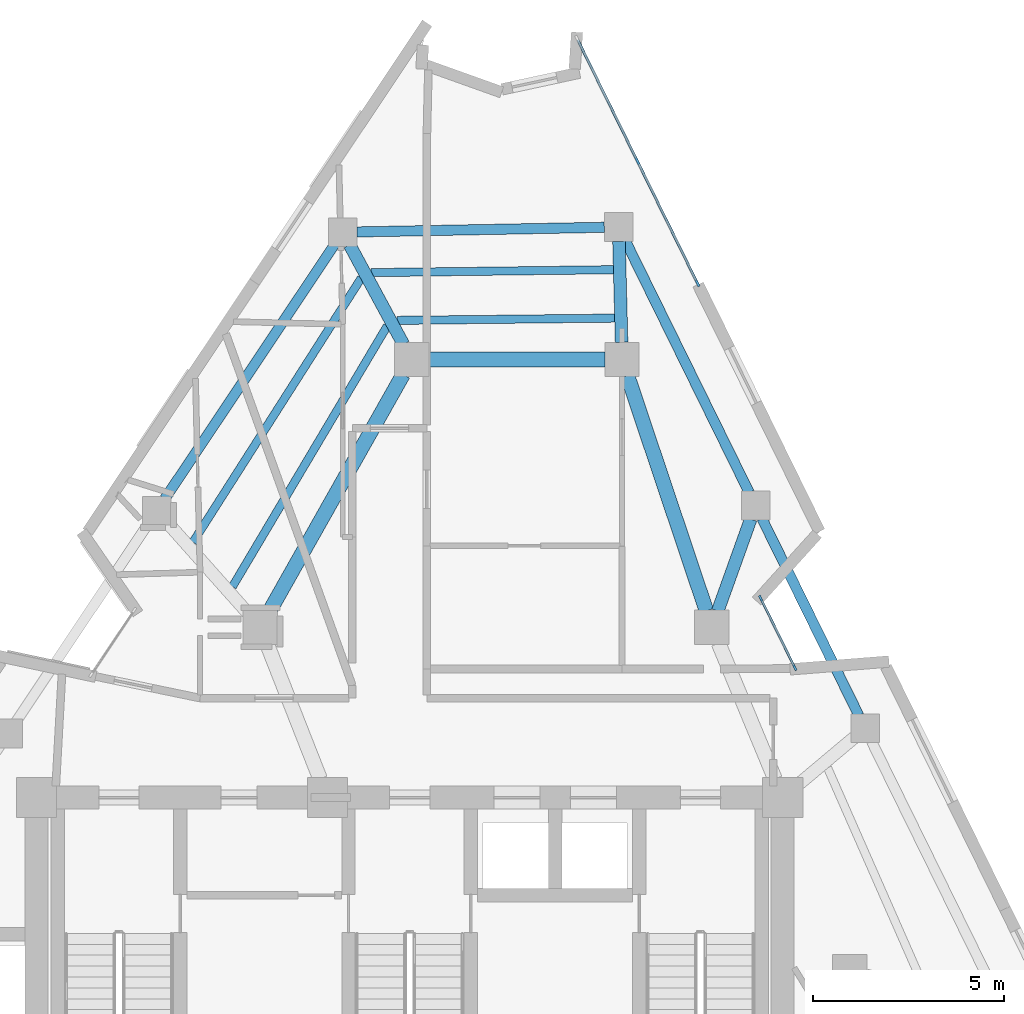
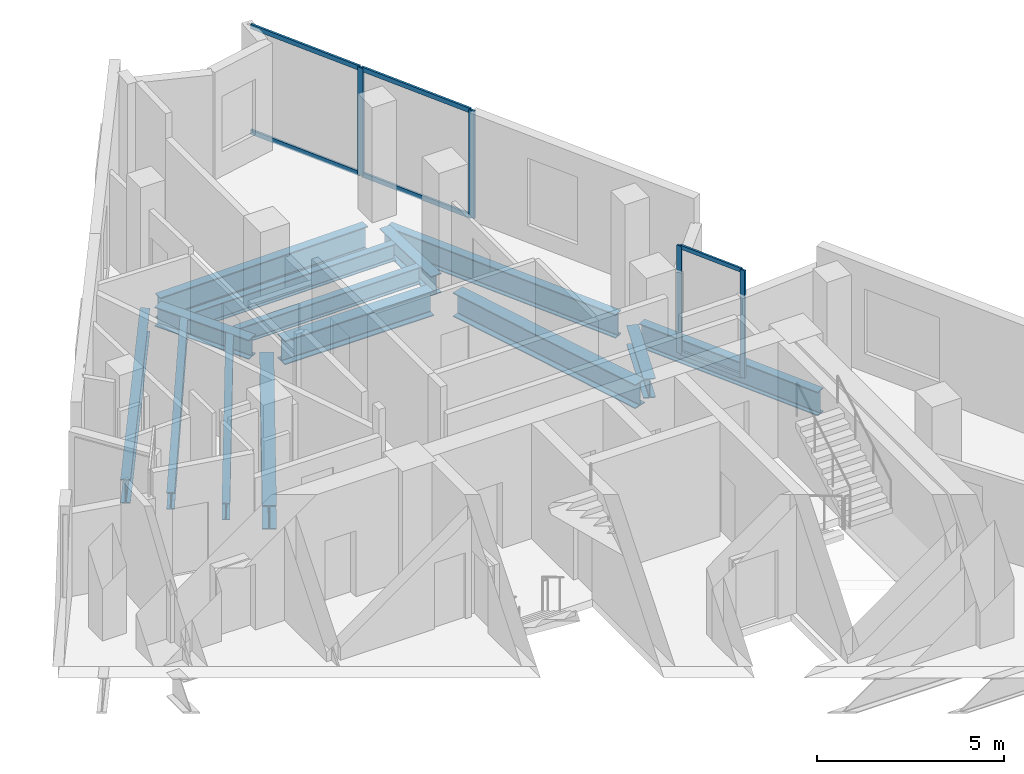
# One storey, part 3 of 10: 14 beams, 10 members, 2 elements without a shape of their own.
"""IFC4 building model written with IfcOpenShell, lengths in metres."""

from ifc_helpers import new_model, si_unit, direction, frame, origin, origin_2d, place, context, subcontext, project, spatial, rectangle, i_section, extrude, material, layer, layer_set, material_profile, profile_set, type_object, element, aggregate, save


model = new_model("IFC4")

# Units and contexts
model_context = context("Model", 3, precision=1e-05, world=origin(), true_north=direction((0.0, 1.0)))
body_context = subcontext(model_context, "Body", "Model", "MODEL_VIEW")
ifc_project = project(units=[si_unit("LENGTHUNIT", "METRE"), si_unit("AREAUNIT", "SQUARE_METRE"), si_unit("VOLUMEUNIT", "CUBIC_METRE"), si_unit("PLANEANGLEUNIT", "RADIAN"), si_unit("MASSUNIT", "GRAM", prefix="KILO")], contexts=[model_context])

# Site, building, storey
site_placement = place(None, origin())
site = spatial("IfcSite", under=ifc_project, at=site_placement, CompositionType="ELEMENT")
building_placement = place(site_placement, origin())
building = spatial("IfcBuilding", under=site, at=building_placement, Name="Almagre Mirador Tower", CompositionType="ELEMENT")
storey_placement = place(building_placement, frame((0.0, 0.0, 278.25)))
storey = spatial("IfcBuildingStorey", under=building, at=storey_placement, Name="L72", CompositionType="ELEMENT", Elevation=278.25)

# Beams
ifc_material_1 = material(Name="Steel ASTM A992 Grade 50", Category="steel")
ifc_material_profile_1 = material_profile(ifc_material_1, i_section(OverallWidth=0.214111328125, OverallDepth=0.549072265625, WebThickness=0.0146484375, FlangeThickness=0.023681640625, FilletRadius=0.01806640625, at=origin_2d()), Name="W21X93")
ifc_profile_set_1 = profile_set([ifc_material_profile_1], Name="Steel ASTM A992 Grade 50")
beam_type_1 = type_object("IfcBeamType", Name="BM-JST-W21X93", PredefinedType="JOIST", material=ifc_profile_set_1)
beam_1_placement = place(storey_placement, frame((42.62451171875, 28.546630859375, -0.5244140625), z_axis=(-0.999926806347, -0.012098840784, 0.0), x_axis=(0.012098840784, -0.999926806347, 0.0)))
element("IfcBeam", 1, at=beam_1_placement, inside=storey, type_object=beam_type_1, Name="L72 secondary floor joist PC08-PC09.1", PredefinedType="JOIST", context=body_context, shape_type="SweptSolid", body=[
    extrude(i_section(OverallWidth=0.214111328125, OverallDepth=0.549072265625, WebThickness=0.0146484375, FlangeThickness=0.023681640625, FilletRadius=0.01806640625, at=origin_2d()), origin(), (0.0, 0.0, 1.0), 6.336181640625),
])
beam_2_placement = place(storey_placement, frame((42.656982421875, 27.281005859375, -0.5244140625), z_axis=(-0.999945713719, -0.010419674461, 0.0), x_axis=(0.010419674461, -0.999945713719, 0.0)))
element("IfcBeam", 2, at=beam_2_placement, inside=storey, type_object=beam_type_1, Name="L72 secondary floor joist PC08-PC09.3", PredefinedType="JOIST", context=body_context, shape_type="SweptSolid", body=[
    extrude(i_section(OverallWidth=0.214111328125, OverallDepth=0.549072265625, WebThickness=0.0146484375, FlangeThickness=0.023681640625, FilletRadius=0.01806640625, at=origin_2d()), origin(), (0.0, 0.0, 1.0), 5.693603515625),
])
beam_3_placement = place(storey_placement, frame((36.03515625, 28.328857421875, -0.5244140625), z_axis=(-0.537483129347, -0.843274501967, 0.0), x_axis=(0.843274501967, -0.537483129347, 0.0)))
element("IfcBeam", 3, at=beam_3_placement, inside=storey, type_object=beam_type_1, Name="L72 secondary floor joist PC09-PC10.1", PredefinedType="JOIST", context=body_context, shape_type="SweptSolid", body=[
    extrude(i_section(OverallWidth=0.214111328125, OverallDepth=0.549072265625, WebThickness=0.0146484375, FlangeThickness=0.023681640625, FilletRadius=0.01806640625, at=origin_2d()), origin(), (0.0, 0.0, 1.0), 8.1875),
])
beam_4_placement = place(storey_placement, frame((36.71435546875, 27.078125, -0.5244140625), z_axis=(-0.510523100762, -0.85986403785, 0.0), x_axis=(0.85986403785, -0.510523100762, 0.0)))
element("IfcBeam", 4, at=beam_4_placement, inside=storey, type_object=beam_type_1, Name="L72 secondary floor joist PC09-PC10.3", PredefinedType="JOIST", context=body_context, shape_type="SweptSolid", body=[
    extrude(i_section(OverallWidth=0.214111328125, OverallDepth=0.549072265625, WebThickness=0.0146484375, FlangeThickness=0.023681640625, FilletRadius=0.01806640625, at=origin_2d()), origin(), (0.0, 0.0, 1.0), 7.927978515625),
])
ifc_material_2 = material(Name="Steel ASTM A992 Grade 50", Category="steel")
ifc_material_profile_2 = material_profile(ifc_material_2, i_section(OverallWidth=0.26708984375, OverallDepth=0.779052734375, WebThickness=0.0166015625, FlangeThickness=0.030029296875, FilletRadius=0.02392578125, at=origin_2d()), Name="W30X148")
ifc_profile_set_2 = profile_set([ifc_material_profile_2], Name="Steel ASTM A992 Grade 50")
beam_type_2 = type_object("IfcBeamType", Name="BM-SPN-W30X148", PredefinedType="SPANDREL", material=ifc_profile_set_2)
beam_5_placement = place(storey_placement, frame((49.03955078125, 16.89453125, -0.639404296875), z_axis=(-0.441283159843, 0.897367913867, 0.0), x_axis=(-0.897367913867, -0.441283159843, 0.0)))
element("IfcBeam", 5, at=beam_5_placement, inside=storey, type_object=beam_type_2, Name="L72 perimeter spandrel beam PC06-PC07", PredefinedType="SPANDREL", context=body_context, shape_type="SweptSolid", body=[
    extrude(i_section(OverallWidth=0.26708984375, OverallDepth=0.779052734375, WebThickness=0.0166015625, FlangeThickness=0.030029296875, FilletRadius=0.02392578125, at=origin_2d()), origin(), (0.0, 0.0, 1.0), 5.739990234375),
])
beam_6_placement = place(storey_placement, frame((46.175537109375, 22.718505859375, -0.639404296875), z_axis=(-0.441288138853, 0.897365465408, 0.0), x_axis=(-0.897365465408, -0.441288138853, 0.0)))
element("IfcBeam", 6, at=beam_6_placement, inside=storey, type_object=beam_type_2, Name="L72 perimeter spandrel beam PC07-PC08", PredefinedType="SPANDREL", context=body_context, shape_type="SweptSolid", body=[
    extrude(i_section(OverallWidth=0.26708984375, OverallDepth=0.779052734375, WebThickness=0.0166015625, FlangeThickness=0.030029296875, FilletRadius=0.02392578125, at=origin_2d()), origin(), (0.0, 0.0, 1.0), 7.362548828125),
])
beam_7_placement = place(storey_placement, frame((42.385986328125, 29.65478515625, -0.639404296875), z_axis=(-0.99982288109, -0.018820373253, 0.0), x_axis=(0.018820373253, -0.99982288109, 0.0)))
element("IfcBeam", 7, at=beam_7_placement, inside=storey, type_object=beam_type_2, Name="L72 perimeter spandrel beam PC08-PC09", PredefinedType="SPANDREL", context=body_context, shape_type="SweptSolid", body=[
    extrude(i_section(OverallWidth=0.26708984375, OverallDepth=0.779052734375, WebThickness=0.0166015625, FlangeThickness=0.030029296875, FilletRadius=0.02392578125, at=origin_2d()), origin(), (0.0, 0.0, 1.0), 6.460205078125),
])
beam_8_placement = place(storey_placement, frame((35.34375, 29.214111328125, -0.639404296875), z_axis=(-0.555228061938, -0.831698141898, 0.0), x_axis=(0.831698141898, -0.555228061938, 0.0)))
element("IfcBeam", 8, at=beam_8_placement, inside=storey, type_object=beam_type_2, Name="L72 perimeter spandrel beam PC09-PC10", PredefinedType="SPANDREL", context=body_context, shape_type="SweptSolid", body=[
    extrude(i_section(OverallWidth=0.26708984375, OverallDepth=0.779052734375, WebThickness=0.0166015625, FlangeThickness=0.030029296875, FilletRadius=0.02392578125, at=origin_2d()), origin(), (0.0, 0.0, 1.0), 8.003173828125),
])
ifc_material_3 = material(Name="Steel ASTM A992 Grade 50", Category="steel")
ifc_material_profile_3 = material_profile(ifc_material_3, i_section(OverallWidth=0.330078125, OverallDepth=0.635009765625, WebThickness=0.017822265625, FlangeThickness=0.031005859375, FilletRadius=0.02001953125, at=origin_2d()), Name="W24X162")
ifc_profile_set_3 = profile_set([ifc_material_profile_3], Name="Steel ASTM A992 Grade 50")
beam_type_3 = type_object("IfcBeamType", Name="BM-STL-W24X162", PredefinedType="BEAM", material=ifc_profile_set_3)
beam_9_placement = place(storey_placement, frame((46.21435546875, 22.029052734375, -0.5673828125), z_axis=(-0.337528381074, -0.941315352031, 0.0), x_axis=(0.941315352031, -0.337528381074, 0.0)))
element("IfcBeam", 9, at=beam_9_placement, inside=storey, type_object=beam_type_3, Name="L72 radial floor girder PC07-MC5", PredefinedType="BEAM", context=body_context, shape_type="SweptSolid", body=[
    extrude(i_section(OverallWidth=0.330078125, OverallDepth=0.635009765625, WebThickness=0.017822265625, FlangeThickness=0.031005859375, FilletRadius=0.02001953125, at=origin_2d()), origin(), (0.0, 0.0, 1.0), 2.555419921875),
])
beam_10_placement = place(storey_placement, frame((42.7705078125, 29.287109375, -0.5673828125), z_axis=(0.025727456063, -0.99966899422, 0.0), x_axis=(0.99966899422, 0.025727456063, 0.0)))
element("IfcBeam", 10, at=beam_10_placement, inside=storey, type_object=beam_type_3, Name="L72 radial floor girder PC08-MC6", PredefinedType="BEAM", context=body_context, shape_type="SweptSolid", body=[
    extrude(i_section(OverallWidth=0.330078125, OverallDepth=0.635009765625, WebThickness=0.017822265625, FlangeThickness=0.031005859375, FilletRadius=0.02001953125, at=origin_2d()), origin(), (0.0, 0.0, 1.0), 2.63818359375),
])
beam_11_placement = place(storey_placement, frame((35.730224609375, 29.196044921875, -0.5673828125), z_axis=(0.475596501602, -0.879663553675, 0.0), x_axis=(0.879663553675, 0.475596501602, 0.0)))
element("IfcBeam", 11, at=beam_11_placement, inside=storey, type_object=beam_type_3, Name="L72 radial floor girder PC09-MC7", PredefinedType="BEAM", context=body_context, shape_type="SweptSolid", body=[
    extrude(i_section(OverallWidth=0.330078125, OverallDepth=0.635009765625, WebThickness=0.017822265625, FlangeThickness=0.031005859375, FilletRadius=0.02001953125, at=origin_2d()), origin(), (0.0, 0.0, 1.0), 2.955810546875),
])
ifc_material_4 = material(Name="Steel ASTM A992 Grade 50", Category="steel")
ifc_material_profile_4 = material_profile(ifc_material_4, i_section(OverallWidth=0.384033203125, OverallDepth=0.784912109375, WebThickness=0.019775390625, FlangeThickness=0.033447265625, FilletRadius=0.02392578125, at=origin_2d()), Name="W30X211")
ifc_profile_set_4 = profile_set([ifc_material_profile_4], Name="Steel ASTM A992 Grade 50")
beam_type_4 = type_object("IfcBeamType", Name="BM-STL-W30X211", PredefinedType="BEAM", material=ifc_profile_set_4)
beam_12_placement = place(storey_placement, frame((37.800048828125, 26.199951171875, -0.642578125), z_axis=(1.0, 0.0, 0.0), x_axis=(0.0, 1.0, 0.0)))
element("IfcBeam", 12, at=beam_12_placement, inside=storey, type_object=beam_type_4, Name="L72 core tie girder MC7-MC6", PredefinedType="BEAM", context=body_context, shape_type="SweptSolid", body=[
    extrude(i_section(OverallWidth=0.384033203125, OverallDepth=0.784912109375, WebThickness=0.019775390625, FlangeThickness=0.033447265625, FilletRadius=0.02392578125, at=origin_2d()), origin(), (0.0, 0.0, 1.0), 4.599853515625),
])
beam_13_placement = place(storey_placement, frame((42.9931640625, 25.7734375, -0.642578125), z_axis=(0.318282890726, -0.947995781357, 0.0), x_axis=(0.947995781357, 0.318282890726, 0.0)))
element("IfcBeam", 13, at=beam_13_placement, inside=storey, type_object=beam_type_4, Name="L72 core tie girder MC6-MC5", PredefinedType="BEAM", context=body_context, shape_type="SweptSolid", body=[
    extrude(i_section(OverallWidth=0.384033203125, OverallDepth=0.784912109375, WebThickness=0.019775390625, FlangeThickness=0.033447265625, FilletRadius=0.02392578125, at=origin_2d()), origin(), (0.0, 0.0, 1.0), 6.48388671875),
])
beam_14_placement = place(storey_placement, frame((37.12890625, 25.80810546875, -0.642578125), z_axis=(-0.491446261843, -0.870907900825, 0.0), x_axis=(0.870907900825, -0.491446261843, 0.0)))
element("IfcBeam", 14, at=beam_14_placement, inside=storey, type_object=beam_type_4, Name="L72 core tie girder MC7-MC8", PredefinedType="BEAM", context=body_context, shape_type="SweptSolid", body=[
    extrude(i_section(OverallWidth=0.384033203125, OverallDepth=0.784912109375, WebThickness=0.019775390625, FlangeThickness=0.033447265625, FilletRadius=0.02392578125, at=origin_2d()), origin(), (0.0, 0.0, 1.0), 7.1376953125),
])

# Curtain wall, members
ifc_material_5 = material(Name="Black anodized aluminium", Category="aluminium")
ifc_layer_1 = layer(ifc_material_5, 0.169921875)
ifc_layer_set_1 = layer_set([ifc_layer_1], Name="Black anodized aluminium")
curtain_wall_type_1 = type_object("IfcCurtainWallType", Name="CW-CRS-SYS", PredefinedType="NOTDEFINED", material=ifc_layer_set_1)
curtain_wall_1_placement = place(storey_placement, origin())
curtain_wall_1 = element("IfcCurtainWall", 15, at=curtain_wall_1_placement, inside=storey, type_object=curtain_wall_type_1, Name="L72 vertical crease curtain wall 03", PredefinedType="NOTDEFINED")
ifc_material_6 = material(Name="Black anodized aluminium", Category="aluminium")
ifc_material_profile_5 = material_profile(ifc_material_6, rectangle(XDim=0.06005859375, YDim=0.14990234375, at=origin_2d()), Name="CWM60X150")
ifc_profile_set_5 = profile_set([ifc_material_profile_5], Name="Black anodized aluminium")
member_type_1 = type_object("IfcMemberType", Name="MBR-CWM60X150", PredefinedType="MULLION", material=ifc_profile_set_5)
member_1_placement = place(storey_placement, frame((46.47314453125, 19.962158203125, 0.0), z_axis=(0.0, 0.0, 1.0), x_axis=(0.897467953869, 0.441079666023, 0.0)))
member_1 = element("IfcMember", 16, at=member_1_placement, type_object=member_type_1, Name="CW-4 mullion 1", PredefinedType="MULLION", context=body_context, shape_type="SweptSolid", body=[
    extrude(rectangle(XDim=0.06005859375, YDim=0.14990234375, at=origin_2d()), origin(), (0.0, 0.0, 1.0), 3.5),
])
member_2_placement = place(storey_placement, frame((47.36865234375, 18.139892578125, 0.0), z_axis=(0.0, 0.0, 1.0), x_axis=(0.897467953869, 0.441079666023, 0.0)))
member_2 = element("IfcMember", 17, at=member_2_placement, type_object=member_type_1, Name="CW-4 mullion 2", PredefinedType="MULLION", context=body_context, shape_type="SweptSolid", body=[
    extrude(rectangle(XDim=0.06005859375, YDim=0.14990234375, at=origin_2d()), origin(), (0.0, 0.0, 1.0), 3.5),
])

ifc_material_7 = material(Name="Black anodized aluminium", Category="aluminium")
ifc_layer_2 = layer(ifc_material_7, 0.199951171875)
ifc_layer_set_2 = layer_set([ifc_layer_2], Name="Black anodized aluminium")
curtain_wall_type_2 = type_object("IfcCurtainWallType", Name="CW-RES-H-SYS", PredefinedType="NOTDEFINED", material=ifc_layer_set_2)
curtain_wall_2_placement = place(storey_placement, origin())
curtain_wall_2 = element("IfcCurtainWall", 18, at=curtain_wall_2_placement, inside=storey, type_object=curtain_wall_type_2, Name="L72 curtain wall run 02", PredefinedType="NOTDEFINED")
ifc_material_8 = material(Name="Black anodized aluminium", Category="aluminium")
ifc_material_profile_6 = material_profile(ifc_material_8, rectangle(XDim=0.06494140625, YDim=0.179931640625, at=origin_2d()), Name="CWM65X180")
ifc_profile_set_6 = profile_set([ifc_material_profile_6], Name="Black anodized aluminium")
member_type_2 = type_object("IfcMemberType", Name="MBR-CWM65X180", PredefinedType="MULLION", material=ifc_profile_set_6)
member_3_placement = place(storey_placement, frame((43.251708984375, 31.384521484375, 0.0), z_axis=(0.0, 0.0, 1.0), x_axis=(0.897355834196, 0.441307723516, 0.0)))
member_3 = element("IfcMember", 19, at=member_3_placement, type_object=member_type_2, Name="CW-3 mullion 2", PredefinedType="MULLION", context=body_context, shape_type="SweptSolid", body=[
    extrude(rectangle(XDim=0.06494140625, YDim=0.179931640625, at=origin_2d()), origin(), (0.0, 0.0, 1.0), 3.5),
])
member_4_placement = place(storey_placement, frame((44.82421875, 28.187255859375, 0.0), z_axis=(0.0, 0.0, 1.0), x_axis=(0.897355834196, 0.441307723516, 0.0)))
member_4 = element("IfcMember", 20, at=member_4_placement, type_object=member_type_2, Name="CW-3 mullion 3", PredefinedType="MULLION", context=body_context, shape_type="SweptSolid", body=[
    extrude(rectangle(XDim=0.06494140625, YDim=0.179931640625, at=origin_2d()), origin(), (0.0, 0.0, 1.0), 3.5),
])

# Member
ifc_material_9 = material(Name="Black anodized aluminium", Category="aluminium")
ifc_material_profile_7 = material_profile(ifc_material_9, rectangle(XDim=0.06005859375, YDim=0.1298828125, at=origin_2d()), Name="CWT60X130")
ifc_profile_set_7 = profile_set([ifc_material_profile_7], Name="Black anodized aluminium")
member_type_3 = type_object("IfcMemberType", Name="MBR-CWT60X130", PredefinedType="USERDEFINED", material=ifc_profile_set_7)
member_5_placement = place(storey_placement, frame((46.486572265625, 19.93505859375, 0.030029296875), z_axis=(0.441007204332, -0.897503563072, 0.0), x_axis=(0.897503563072, 0.441007204332, 0.0)))
member_5 = element("IfcMember", 21, at=member_5_placement, type_object=member_type_3, Name="CW-4 transom 1.1", ObjectType="TRANSOM", PredefinedType="USERDEFINED", context=body_context, shape_type="SweptSolid", body=[
    extrude(rectangle(XDim=0.06005859375, YDim=0.1298828125, at=origin_2d()), origin(), (0.0, 0.0, 1.0), 1.97021484375),
])

member_6_placement = place(storey_placement, frame((46.486572265625, 19.93505859375, 3.469970703125), z_axis=(0.441007204332, -0.897503563072, 0.0), x_axis=(0.897503563072, 0.441007204332, 0.0)))
member_6 = element("IfcMember", 22, at=member_6_placement, type_object=member_type_3, Name="CW-4 transom 1.2", ObjectType="TRANSOM", PredefinedType="USERDEFINED", context=body_context, shape_type="SweptSolid", body=[
    extrude(rectangle(XDim=0.06005859375, YDim=0.1298828125, at=origin_2d()), origin(), (0.0, 0.0, 1.0), 1.97021484375),
])

aggregate(curtain_wall_1, [member_1, member_2, member_5, member_6])

ifc_material_10 = material(Name="Black anodized aluminium", Category="aluminium")
ifc_material_profile_8 = material_profile(ifc_material_10, rectangle(XDim=0.06494140625, YDim=0.14990234375, at=origin_2d()), Name="CWT65X150")
ifc_profile_set_8 = profile_set([ifc_material_profile_8], Name="Black anodized aluminium")
member_type_4 = type_object("IfcMemberType", Name="MBR-CWT65X150", PredefinedType="USERDEFINED", material=ifc_profile_set_8)
member_7_placement = place(storey_placement, frame((41.693603515625, 34.552734375, 0.032470703125), z_axis=(0.441285567888, -0.897366729701, 0.0), x_axis=(0.897366729701, 0.441285567888, 0.0)))
member_7 = element("IfcMember", 23, at=member_7_placement, type_object=member_type_4, Name="CW-3 transom 1.1", ObjectType="TRANSOM", PredefinedType="USERDEFINED", context=body_context, shape_type="SweptSolid", body=[
    extrude(rectangle(XDim=0.06494140625, YDim=0.14990234375, at=origin_2d()), origin(), (0.0, 0.0, 1.0), 3.498291015625),
])

member_8_placement = place(storey_placement, frame((41.693603515625, 34.552734375, 3.467529296875), z_axis=(0.441285567888, -0.897366729701, 0.0), x_axis=(0.897366729701, 0.441285567888, 0.0)))
member_8 = element("IfcMember", 24, at=member_8_placement, type_object=member_type_4, Name="CW-3 transom 1.2", ObjectType="TRANSOM", PredefinedType="USERDEFINED", context=body_context, shape_type="SweptSolid", body=[
    extrude(rectangle(XDim=0.06494140625, YDim=0.14990234375, at=origin_2d()), origin(), (0.0, 0.0, 1.0), 3.498291015625),
])

member_9_placement = place(storey_placement, frame((43.26611328125, 31.355224609375, 0.032470703125), z_axis=(0.441313206112, -0.897353137907, 0.0), x_axis=(0.897353137907, 0.441313206112, 0.0)))
member_9 = element("IfcMember", 25, at=member_9_placement, type_object=member_type_4, Name="CW-3 transom 2.1", ObjectType="TRANSOM", PredefinedType="USERDEFINED", context=body_context, shape_type="SweptSolid", body=[
    extrude(rectangle(XDim=0.06494140625, YDim=0.14990234375, at=origin_2d()), origin(), (0.0, 0.0, 1.0), 3.498046875),
])

member_10_placement = place(storey_placement, frame((43.26611328125, 31.355224609375, 3.467529296875), z_axis=(0.441313206112, -0.897353137907, 0.0), x_axis=(0.897353137907, 0.441313206112, 0.0)))
member_10 = element("IfcMember", 26, at=member_10_placement, type_object=member_type_4, Name="CW-3 transom 2.2", ObjectType="TRANSOM", PredefinedType="USERDEFINED", context=body_context, shape_type="SweptSolid", body=[
    extrude(rectangle(XDim=0.06494140625, YDim=0.14990234375, at=origin_2d()), origin(), (0.0, 0.0, 1.0), 3.498046875),
])

aggregate(curtain_wall_2, [member_3, member_4, member_7, member_8, member_9, member_10])

save(model, "model.ifc")
